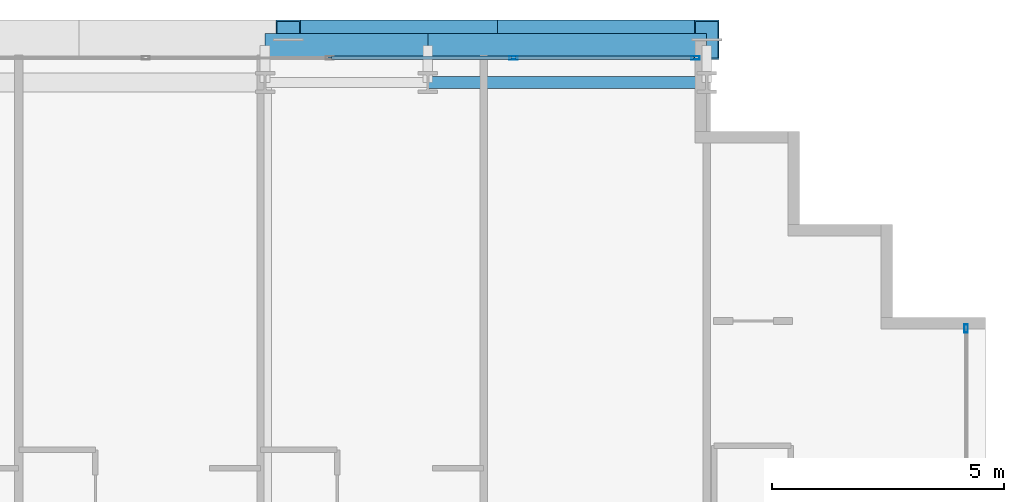
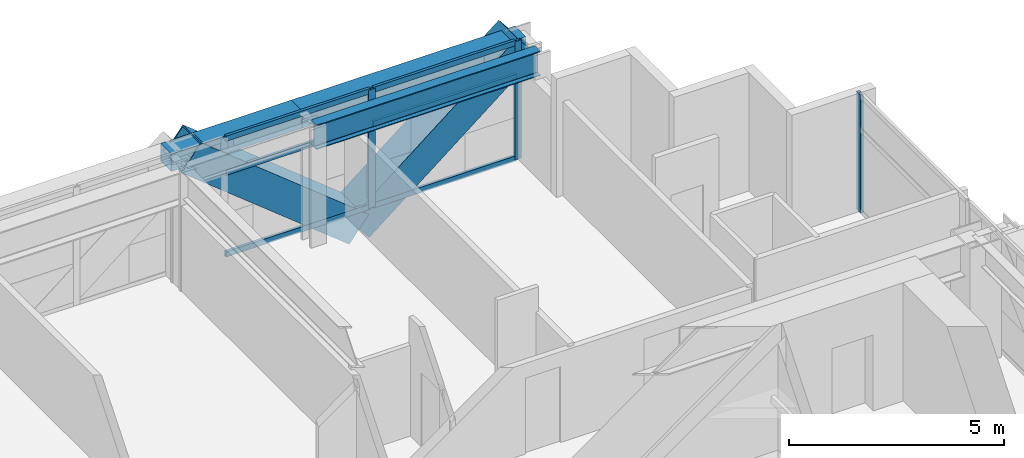
# One storey, part 25 of 41: 11 members, 3 beams, 2 elements without a shape of their own.
"""IFC4 building model written with IfcOpenShell, lengths in metres."""

from ifc_helpers import new_model, si_unit, direction, frame, origin, origin_2d, place, context, subcontext, project, spatial, hollow_rectangle, i_section, extrude, source, transform, mapped, material, layer, layer_set, material_profile, profile_set, type_object, element, aggregate, save


model = new_model("IFC4")

# Units and contexts
model_context = context("Model", 3, precision=1e-05, world=origin(), true_north=direction((0.0, 1.0)))
body_context = subcontext(model_context, "Body", "Model", "MODEL_VIEW")
ifc_project = project(units=[si_unit("LENGTHUNIT", "METRE"), si_unit("AREAUNIT", "SQUARE_METRE"), si_unit("VOLUMEUNIT", "CUBIC_METRE"), si_unit("PLANEANGLEUNIT", "RADIAN"), si_unit("MASSUNIT", "GRAM", prefix="KILO")], contexts=[model_context])

# Site, building, storey
site_placement = place(None, origin())
site = spatial("IfcSite", under=ifc_project, at=site_placement, CompositionType="ELEMENT")
building_placement = place(site_placement, origin())
building = spatial("IfcBuilding", under=site, at=building_placement, Name="Ocotamira Hotel", CompositionType="ELEMENT")
storey_placement = place(building_placement, frame((0.0, 0.0, 67.199951171875)))
storey = spatial("IfcBuildingStorey", under=building, at=storey_placement, Name="L16", CompositionType="ELEMENT", Elevation=67.199951171875)

# Beams
ifc_material_1 = material(Name="Steel ASTM A992 Grade 50", Category="steel")
ifc_material_profile_1 = material_profile(ifc_material_1, i_section(OverallWidth=0.256103515625, OverallDepth=0.693115234375, WebThickness=0.014404296875, FlangeThickness=0.023681640625, FilletRadius=0.01611328125, at=origin_2d()), Name="W27X114")
ifc_profile_set_1 = profile_set([ifc_material_profile_1], Name="Steel ASTM A992 Grade 50")
beam_type_1 = type_object("IfcBeamType", Name="BM-PRIM-W27X114", PredefinedType="BEAM", material=ifc_profile_set_1)
shared_shape_1 = source(origin(), body_context, "Body", "SweptSolid", [
    extrude(i_section(OverallWidth=0.256103515625, OverallDepth=0.693115234375, WebThickness=0.014404296875, FlangeThickness=0.023681640625, FilletRadius=0.01611328125, at=origin_2d()), origin(), (0.0, 0.0, 1.0), 6.0),
])
beam_1_placement = place(storey_placement, frame((44.0, 49.050048828125, 3.003662109375), z_axis=(1.0, 0.0, 0.0), x_axis=(0.0, 1.0, 0.0)))
element("IfcBeam", 1, at=beam_1_placement, inside=storey, type_object=beam_type_1, Name="L16 Girder Y49.05 X44-50", PredefinedType="BEAM", context=body_context, shape_type="MappedRepresentation", body=[
    mapped(shared_shape_1, transform((0.0, 0.0, 0.0), scale=1.0)),
])
ifc_material_2 = material(Name="Steel ASTM A500 Grade C", Category="steel")
ifc_material_profile_2 = material_profile(ifc_material_2, hollow_rectangle(XDim=0.5, YDim=0.5, WallThickness=0.02001953125, at=origin_2d()), Name="HSS500X500X20")
ifc_profile_set_2 = profile_set([ifc_material_profile_2], Name="Steel ASTM A500 Grade C")
beam_type_2 = type_object("IfcBeamType", Name="BM-SPAN-HSS500", PredefinedType="USERDEFINED", material=ifc_profile_set_2)
shared_shape_2 = source(origin(), body_context, "Body", "SweptSolid", [
    extrude(hollow_rectangle(XDim=0.5, YDim=0.5, WallThickness=0.02001953125, at=origin_2d()), origin(), (0.0, 0.0, 1.0), 6.0),
])
beam_2_placement = place(storey_placement, frame((44.0, 49.85009765625, 3.10009765625), z_axis=(1.0, 0.0, 0.0), x_axis=(0.0, 1.0, 0.0)))
element("IfcBeam", 2, at=beam_2_placement, inside=storey, type_object=beam_type_2, Name="L16 Edge Spandrel N X44-50", ObjectType="SPANDREL", PredefinedType="USERDEFINED", context=body_context, shape_type="MappedRepresentation", body=[
    mapped(shared_shape_2, transform((0.0, 0.0, 0.0), scale=1.0)),
])
shared_shape_3 = source(origin(), body_context, "Body", "SweptSolid", [
    extrude(hollow_rectangle(XDim=0.5, YDim=0.5, WallThickness=0.02001953125, at=origin_2d()), origin(), (0.0, 0.0, 1.0), 3.5),
])
beam_3_placement = place(storey_placement, frame((40.5, 49.85009765625, 3.10009765625), z_axis=(1.0, 0.0, 0.0), x_axis=(0.0, 1.0, 0.0)))
element("IfcBeam", 3, at=beam_3_placement, inside=storey, type_object=beam_type_2, Name="L16 Edge Spandrel N X40.5-44", ObjectType="SPANDREL", PredefinedType="USERDEFINED", context=body_context, shape_type="MappedRepresentation", body=[
    mapped(shared_shape_3, transform((0.0, 0.0, 0.0), scale=1.0)),
])

# Members
ifc_material_3 = material(Name="Pale-metal coated steel ASTM A913 Grade 65", Category="steel")
ifc_material_profile_3 = material_profile(ifc_material_3, hollow_rectangle(XDim=0.85009765625, YDim=0.85009765625, WallThickness=0.035888671875, at=origin_2d()), Name="BOX850X850X36")
ifc_profile_set_3 = profile_set([ifc_material_profile_3], Name="Pale-metal coated steel ASTM A913 Grade 65")
member_type_1 = type_object("IfcMemberType", Name="MEM-EXO-BOX850", PredefinedType="BRACE", material=ifc_profile_set_3)
shared_shape_4 = source(origin(), body_context, "Body", "SweptSolid", [
    extrude(hollow_rectangle(XDim=0.85009765625, YDim=0.85009765625, WallThickness=0.035888671875, at=origin_2d()), origin(), (0.0, 0.0, 1.0), 5.762939453125),
])
for number, where, z_axis, x_axis, name in (
    (4, (45.5, 49.969970703125, -0.5), (-0.780860543151, 0.0, 0.624705380279), (0.0, -1.0, 0.0), "L16 Exoskeleton Diagrid N3.1"),
    (5, (45.5, 49.969970703125, -0.5), (0.780860543151, 0.0, 0.624705380279), (0.0, 1.0, 0.0), "L16 Exoskeleton Diagrid N3.2"),
):
    element("IfcMember", number, at=place(storey_placement, frame(where, z_axis=z_axis, x_axis=x_axis)), inside=storey, type_object=member_type_1, Name=name, PredefinedType="BRACE", context=body_context, shape_type="MappedRepresentation", body=[
        mapped(shared_shape_4, transform((0.0, 0.0, 0.0), scale=1.0)),
    ])

# Curtain wall, members
ifc_material_4 = material(Name="Anodised pale-metal aluminium and solar glass", Category="aluminium")
ifc_layer = layer(ifc_material_4, 0.179931640625)
ifc_layer_set = layer_set([ifc_layer], Name="Anodised pale-metal aluminium and solar glass")
curtain_wall_type = type_object("IfcCurtainWallType", Name="CW-SYS2-Z1", PredefinedType="NOTDEFINED", material=ifc_layer_set)
curtain_wall_1_placement = place(storey_placement, origin())
curtain_wall_1 = element("IfcCurtainWall", 6, at=curtain_wall_1_placement, inside=storey, type_object=curtain_wall_type, Name="L16 Curtain Wall CW-2 CW-L16-N", PredefinedType="NOTDEFINED")
ifc_material_5 = material(Name="Anodised pale-metal aluminium 6063-T6", Category="aluminium")
ifc_material_profile_4 = material_profile(ifc_material_5, hollow_rectangle(XDim=0.074951171875, YDim=0.14990234375, WallThickness=0.006103515625, at=origin_2d()), Name="HSS150X75X6")
ifc_profile_set_4 = profile_set([ifc_material_profile_4], Name="Anodised pale-metal aluminium 6063-T6")
member_type_2 = type_object("IfcMemberType", Name="CWT-150X75", PredefinedType="USERDEFINED", material=ifc_profile_set_4)
shared_shape_5 = source(origin(), body_context, "Body", "SweptSolid", [
    extrude(hollow_rectangle(XDim=0.074951171875, YDim=0.14990234375, WallThickness=0.006103515625, at=origin_2d()), origin(), (0.0, 0.0, 1.0), 3.83544921875),
])
member_1_placement = place(storey_placement, frame((45.884521484375, 49.580078125, 0.03759765625), z_axis=(1.0, 0.0, 0.0), x_axis=(0.0, 1.0, 0.0)))
member_1 = element("IfcMember", 7, at=member_1_placement, type_object=member_type_2, Name="CW-2 transom 9.1", ObjectType="TRANSOM", PredefinedType="USERDEFINED", context=body_context, shape_type="MappedRepresentation", body=[
    mapped(shared_shape_5, transform((0.0, 0.0, 0.0), scale=1.0)),
])
member_2_placement = place(storey_placement, frame((45.884521484375, 49.580078125, 2.35009765625), z_axis=(1.0, 0.0, 0.0), x_axis=(0.0, 1.0, 0.0)))
member_2 = element("IfcMember", 8, at=member_2_placement, type_object=member_type_2, Name="CW-2 transom 9.2", ObjectType="TRANSOM", PredefinedType="USERDEFINED", context=body_context, shape_type="MappedRepresentation", body=[
    mapped(shared_shape_5, transform((0.0, 0.0, 0.0), scale=1.0)),
])
member_3_placement = place(storey_placement, frame((45.884521484375, 49.580078125, 3.3125), z_axis=(1.0, 0.0, 0.0), x_axis=(0.0, 1.0, 0.0)))
member_3 = element("IfcMember", 9, at=member_3_placement, type_object=member_type_2, Name="CW-2 transom 9.3", ObjectType="TRANSOM", PredefinedType="USERDEFINED", context=body_context, shape_type="MappedRepresentation", body=[
    mapped(shared_shape_5, transform((0.0, 0.0, 0.0), scale=1.0)),
])
shared_shape_6 = source(origin(), body_context, "Body", "SweptSolid", [
    extrude(hollow_rectangle(XDim=0.074951171875, YDim=0.14990234375, WallThickness=0.006103515625, at=origin_2d()), origin(), (0.0, 0.0, 1.0), 3.87548828125),
])
member_4_placement = place(storey_placement, frame((41.928955078125, 49.580078125, 0.03759765625), z_axis=(1.0, 0.0, 0.0), x_axis=(0.0, 1.0, 0.0)))
member_4 = element("IfcMember", 10, at=member_4_placement, type_object=member_type_2, Name="CW-2 transom 8.1", ObjectType="TRANSOM", PredefinedType="USERDEFINED", context=body_context, shape_type="MappedRepresentation", body=[
    mapped(shared_shape_6, transform((0.0, 0.0, 0.0), scale=1.0)),
])
member_5_placement = place(storey_placement, frame((41.928955078125, 49.580078125, 2.35009765625), z_axis=(1.0, 0.0, 0.0), x_axis=(0.0, 1.0, 0.0)))
member_5 = element("IfcMember", 11, at=member_5_placement, type_object=member_type_2, Name="CW-2 transom 8.2", ObjectType="TRANSOM", PredefinedType="USERDEFINED", context=body_context, shape_type="MappedRepresentation", body=[
    mapped(shared_shape_6, transform((0.0, 0.0, 0.0), scale=1.0)),
])
member_6_placement = place(storey_placement, frame((41.928955078125, 49.580078125, 3.3125), z_axis=(1.0, 0.0, 0.0), x_axis=(0.0, 1.0, 0.0)))
member_6 = element("IfcMember", 12, at=member_6_placement, type_object=member_type_2, Name="CW-2 transom 8.3", ObjectType="TRANSOM", PredefinedType="USERDEFINED", context=body_context, shape_type="MappedRepresentation", body=[
    mapped(shared_shape_6, transform((0.0, 0.0, 0.0), scale=1.0)),
])
ifc_material_profile_5 = material_profile(ifc_material_5, hollow_rectangle(XDim=0.080078125, YDim=0.179931640625, WallThickness=0.006103515625, at=origin_2d()), Name="HSS180X80X6")
ifc_profile_set_5 = profile_set([ifc_material_profile_5], Name="Anodised pale-metal aluminium 6063-T6")
member_type_3 = type_object("IfcMemberType", Name="CWM-180X75", PredefinedType="MULLION", material=ifc_profile_set_5)
shared_shape_7 = source(origin(), body_context, "Body", "SweptSolid", [
    extrude(hollow_rectangle(XDim=0.080078125, YDim=0.179931640625, WallThickness=0.006103515625, at=origin_2d()), origin(), (0.0, 0.0, 1.0), 3.35009765625),
])
member_7_placement = place(storey_placement, frame((45.844482421875, 49.580078125, 0.0), z_axis=(0.0, 0.0, 1.0), x_axis=(0.0, 1.0, 0.0)))
member_7 = element("IfcMember", 13, at=member_7_placement, type_object=member_type_3, Name="CW-2 mullion 9", PredefinedType="MULLION", context=body_context, shape_type="MappedRepresentation", body=[
    mapped(shared_shape_7, transform((0.0, 0.0, 0.0), scale=1.0)),
])
member_8_placement = place(storey_placement, frame((49.760009765625, 49.580078125, 0.0), z_axis=(0.0, 0.0, 1.0), x_axis=(0.0, 1.0, 0.0)))
member_8 = element("IfcMember", 14, at=member_8_placement, type_object=member_type_3, Name="CW-2 mullion 10", PredefinedType="MULLION", context=body_context, shape_type="MappedRepresentation", body=[
    mapped(shared_shape_7, transform((0.0, 0.0, 0.0), scale=1.0)),
])
aggregate(curtain_wall_1, [member_7, member_8, member_4, member_5, member_6, member_1, member_2, member_3])

# Curtain wall, member
curtain_wall_2_placement = place(storey_placement, origin())
curtain_wall_2 = element("IfcCurtainWall", 15, at=curtain_wall_2_placement, inside=storey, type_object=curtain_wall_type, Name="L16 Curtain Wall CW-2 CW-L16-E", PredefinedType="NOTDEFINED")
member_9_placement = place(storey_placement, frame((55.580078125, 43.760009765625, 0.0), z_axis=(0.0, 0.0, 1.0), x_axis=(-1.0, 0.0, 0.0)))
member_9 = element("IfcMember", 16, at=member_9_placement, type_object=member_type_3, Name="CW-2 mullion 8", PredefinedType="MULLION", context=body_context, shape_type="MappedRepresentation", body=[
    mapped(shared_shape_7, transform((0.0, 0.0, 0.0), scale=1.0)),
])
aggregate(curtain_wall_2, [member_9])

save(model, "model.ifc")
